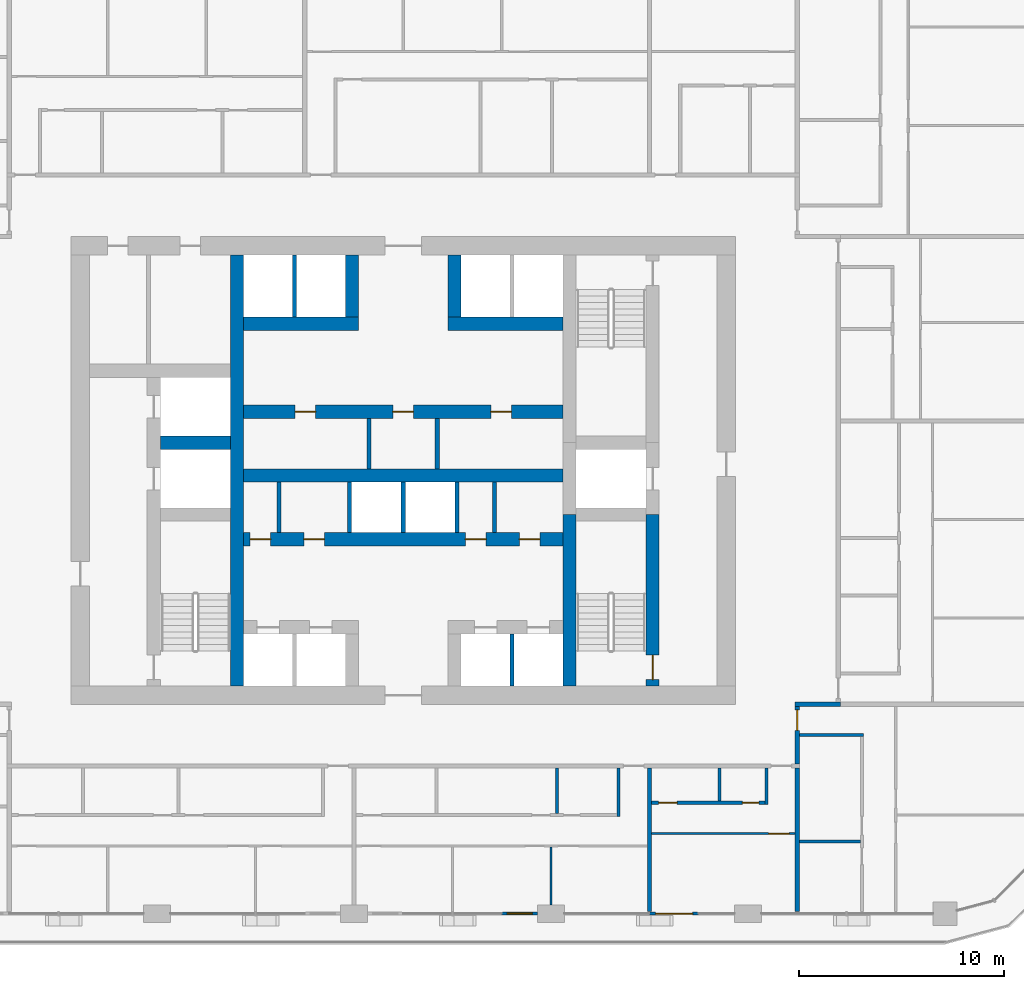
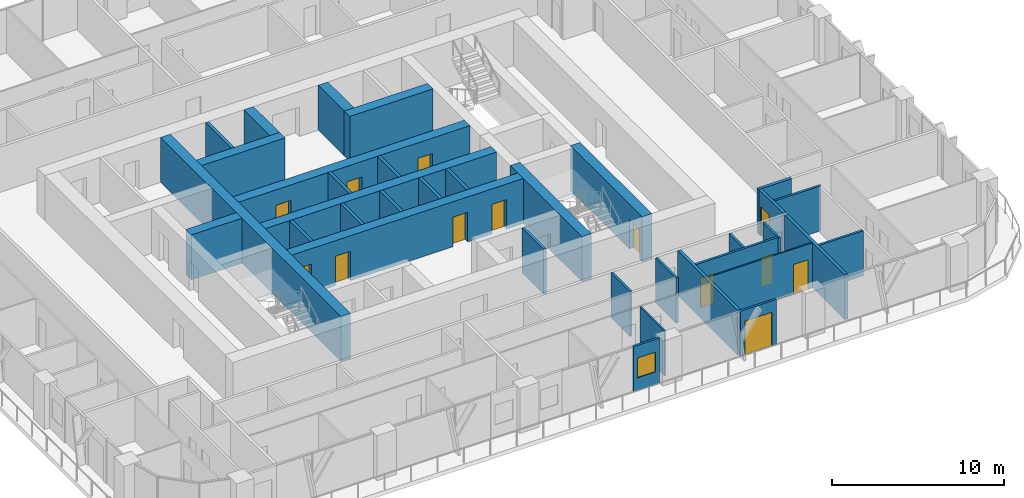
# One storey, part 11 of 21: 35 walls, 13 doors, 1 window, 14 openings.
"""IFC4 building model written with IfcOpenShell, lengths in metres."""

from ifc_helpers import new_model, si_unit, direction, frame, frame_2d, origin, place, context, subcontext, project, spatial, rectangle, extrude, material, layer, layer_set, type_object, element, fill, save


model = new_model("IFC4")

# Units and contexts
model_context = context("Model", 3, precision=1e-05, world=origin(), true_north=direction((0.0, 1.0)))
body_context = subcontext(model_context, "Body", "Model", "MODEL_VIEW")
ifc_project = project(units=[si_unit("LENGTHUNIT", "METRE"), si_unit("AREAUNIT", "SQUARE_METRE"), si_unit("VOLUMEUNIT", "CUBIC_METRE"), si_unit("PLANEANGLEUNIT", "RADIAN"), si_unit("MASSUNIT", "GRAM", prefix="KILO")], contexts=[model_context])

# Site, building, storey
site_placement = place(None, origin())
site = spatial("IfcSite", under=ifc_project, at=site_placement, CompositionType="ELEMENT")
building_placement = place(site_placement, origin())
building = spatial("IfcBuilding", under=site, at=building_placement, Name="Madar Terraces", CompositionType="ELEMENT")
storey_placement = place(building_placement, frame((0.0, 0.0, 89.199951171875)))
storey = spatial("IfcBuildingStorey", under=building, at=storey_placement, Name="L22", CompositionType="ELEMENT", Elevation=89.199951171875)

# Walls
ifc_material_1 = material(Name="Concrete C80/95", Category="concrete")
ifc_layer_1 = layer(ifc_material_1, 0.64990234375)
ifc_layer_set_1 = layer_set([ifc_layer_1], Name="Concrete C80/95 (CIW2 RC wall 650)")
wall_type_1 = type_object("IfcWallType", Name="CIW2 RC wall 650", PredefinedType="SHEAR", material=ifc_layer_set_1)
wall_1_placement = place(storey_placement, frame((23.10009765625, 15.89990234375, 0.0), z_axis=(0.0, 0.0, 1.0), x_axis=(0.0, 1.0, 0.0)))
element("IfcWall", 1, at=wall_1_placement, inside=storey, type_object=wall_type_1, Name="CORE SHAFT WALL", PredefinedType="SHEAR", context=body_context, shape_type="SweptSolid", body=[
    extrude(rectangle(XDim=21.0, YDim=0.64990234375, at=frame_2d((10.5, 0.0))), origin(), (0.0, 0.0, 1.0), 3.199951171875),
])
wall_2_placement = place(storey_placement, frame((39.300048828125, 15.89990234375, 0.0), z_axis=(0.0, 0.0, 1.0), x_axis=(0.0, 1.0, 0.0)))
element("IfcWall", 2, at=wall_2_placement, inside=storey, type_object=wall_type_1, Name="CORE SHAFT WALL", PredefinedType="SHEAR", context=body_context, shape_type="SweptSolid", body=[
    extrude(rectangle(XDim=8.35009765625, YDim=0.64990234375, at=frame_2d((4.175048828125, 0.0))), origin(), (0.0, 0.0, 1.0), 3.199951171875),
])

# Wall, opening, door
wall_3_placement = place(storey_placement, frame((43.35009765625, 15.89990234375, 0.0), z_axis=(0.0, 0.0, 1.0), x_axis=(0.0, 1.0, 0.0)))
wall_3 = element("IfcWall", 3, at=wall_3_placement, inside=storey, type_object=wall_type_1, Name="CORE SHAFT WALL", PredefinedType="SHEAR", context=body_context, shape_type="SweptSolid", body=[
    extrude(rectangle(XDim=8.35009765625, YDim=0.64990234375, at=frame_2d((4.175048828125, 0.0))), origin(), (0.0, 0.0, 1.0), 3.199951171875),
])
opening_1_placement = place(wall_3_placement, frame((0.300048828125, 0.0, 0.0)))
opening_1 = element("IfcOpeningElement", 4, at=opening_1_placement, cuts=wall_3, Name="Opening SD1", PredefinedType="OPENING", context=body_context, shape_type="SweptSolid", body=[
    extrude(rectangle(XDim=1.199951171875, YDim=2.10009765625, at=frame_2d((0.60009765625, 1.050048828125))), frame((0.0, 0.3349609375, 0.0), z_axis=(0.0, -1.0, 0.0), x_axis=(1.0, 0.0, 0.0)), (0.0, 0.0, 1.0), 0.669921875),
])
ifc_material_2 = material(Name="Steel door leaf", Category="steel")
door_type_1 = type_object("IfcDoorType", Name="Stair door 1200 x 2100", OperationType="NOTDEFINED", PredefinedType="DOOR", material=ifc_material_2)
door_1_placement = place(opening_1_placement, origin())
door_1 = element("IfcDoor", 5, at=door_1_placement, inside=storey, type_object=door_type_1, Name="STAIR DOOR", OperationType="SINGLE_SWING_LEFT", OverallHeight=2.10009765625, OverallWidth=1.199951171875, PredefinedType="DOOR", context=body_context, shape_type="SweptSolid", body=[
    extrude(rectangle(XDim=1.199951171875, YDim=2.10009765625, at=frame_2d((0.60009765625, 1.050048828125))), frame((0.0, 0.02490234375, 0.0), z_axis=(0.0, -1.0, 0.0), x_axis=(1.0, 0.0, 0.0)), (0.0, 0.0, 1.0), 0.050048828125),
])
fill(opening_1, door_1)

# Wall
wall_4_placement = place(storey_placement, frame((19.375, 27.75, 0.0), z_axis=(0.0, 0.0, 1.0), x_axis=(1.0, 0.0, 0.0)))
element("IfcWall", 6, at=wall_4_placement, inside=storey, type_object=wall_type_1, Name="CORE SHAFT WALL", PredefinedType="SHEAR", context=body_context, shape_type="SweptSolid", body=[
    extrude(rectangle(XDim=3.39990234375, YDim=0.64990234375, at=frame_2d((1.699951171875, 0.0))), origin(), (0.0, 0.0, 1.0), 3.199951171875),
])

# Wall, openings, doors
wall_5_placement = place(storey_placement, frame((23.425048828125, 23.050048828125, 0.0), z_axis=(0.0, 0.0, 1.0), x_axis=(1.0, 0.0, 0.0)))
wall_5 = element("IfcWall", 7, at=wall_5_placement, inside=storey, type_object=wall_type_1, Name="CORE SHAFT WALL", PredefinedType="SHEAR", context=body_context, shape_type="SweptSolid", body=[
    extrude(rectangle(XDim=15.550048828125, YDim=0.64990234375, at=frame_2d((7.77490234375, 0.0))), origin(), (0.0, 0.0, 1.0), 3.199951171875),
])
opening_2_placement = place(wall_5_placement, frame((0.30859375, 0.0, 0.0)))
opening_2 = element("IfcOpeningElement", 8, at=opening_2_placement, cuts=wall_5, Name="Opening KD2", PredefinedType="OPENING", context=body_context, shape_type="SweptSolid", body=[
    extrude(rectangle(XDim=1.0, YDim=2.10009765625, at=frame_2d((0.5, 1.050048828125))), frame((0.0, 0.3349609375, 0.0), z_axis=(0.0, -1.0, 0.0), x_axis=(1.0, 0.0, 0.0)), (0.0, 0.0, 1.0), 0.669921875),
])
opening_3_placement = place(wall_5_placement, frame((2.93359375, 0.0, 0.0)))
opening_3 = element("IfcOpeningElement", 9, at=opening_3_placement, cuts=wall_5, Name="Opening KD2", PredefinedType="OPENING", context=body_context, shape_type="SweptSolid", body=[
    extrude(rectangle(XDim=1.0, YDim=2.10009765625, at=frame_2d((0.5, 1.050048828125))), frame((0.0, 0.3349609375, 0.0), z_axis=(0.0, -1.0, 0.0), x_axis=(1.0, 0.0, 0.0)), (0.0, 0.0, 1.0), 0.669921875),
])
opening_4_placement = place(wall_5_placement, frame((10.80859375, 0.0, 0.0)))
opening_4 = element("IfcOpeningElement", 10, at=opening_4_placement, cuts=wall_5, Name="Opening KD2", PredefinedType="OPENING", context=body_context, shape_type="SweptSolid", body=[
    extrude(rectangle(XDim=1.0, YDim=2.10009765625, at=frame_2d((0.5, 1.050048828125))), frame((0.0, 0.3349609375, 0.0), z_axis=(0.0, -1.0, 0.0), x_axis=(1.0, 0.0, 0.0)), (0.0, 0.0, 1.0), 0.669921875),
])
opening_5_placement = place(wall_5_placement, frame((13.43359375, 0.0, 0.0)))
opening_5 = element("IfcOpeningElement", 11, at=opening_5_placement, cuts=wall_5, Name="Opening KD2", PredefinedType="OPENING", context=body_context, shape_type="SweptSolid", body=[
    extrude(rectangle(XDim=1.0, YDim=2.10009765625, at=frame_2d((0.5, 1.050048828125))), frame((0.0, 0.3349609375, 0.0), z_axis=(0.0, -1.0, 0.0), x_axis=(1.0, 0.0, 0.0)), (0.0, 0.0, 1.0), 0.669921875),
])
ifc_material_3 = material(Name="Steel door leaf", Category="steel")
door_type_2 = type_object("IfcDoorType", Name="Service room door 1000 x 2100", OperationType="NOTDEFINED", PredefinedType="DOOR", material=ifc_material_3)
door_2_placement = place(opening_2_placement, frame((1.0, 0.0, 0.0), z_axis=(0.0, 0.0, 1.0), x_axis=(-1.0, 0.0, 0.0)))
door_2 = element("IfcDoor", 12, at=door_2_placement, inside=storey, type_object=door_type_2, Name="SERVICE ROOM DOOR", OperationType="SINGLE_SWING_LEFT", OverallHeight=2.10009765625, OverallWidth=1.0, PredefinedType="DOOR", context=body_context, shape_type="SweptSolid", body=[
    extrude(rectangle(XDim=1.0, YDim=2.10009765625, at=frame_2d((0.5, 1.050048828125))), frame((0.0, 0.02490234375, 0.0), z_axis=(0.0, -1.0, 0.0), x_axis=(1.0, 0.0, 0.0)), (0.0, 0.0, 1.0), 0.050048828125),
])
fill(opening_2, door_2)
door_3_placement = place(opening_3_placement, frame((1.0, 0.0, 0.0), z_axis=(0.0, 0.0, 1.0), x_axis=(-1.0, 0.0, 0.0)))
door_3 = element("IfcDoor", 13, at=door_3_placement, inside=storey, type_object=door_type_2, Name="SERVICE ROOM DOOR", OperationType="SINGLE_SWING_RIGHT", OverallHeight=2.10009765625, OverallWidth=1.0, PredefinedType="DOOR", context=body_context, shape_type="SweptSolid", body=[
    extrude(rectangle(XDim=1.0, YDim=2.10009765625, at=frame_2d((0.5, 1.050048828125))), frame((0.0, 0.02490234375, 0.0), z_axis=(0.0, -1.0, 0.0), x_axis=(1.0, 0.0, 0.0)), (0.0, 0.0, 1.0), 0.050048828125),
])
fill(opening_3, door_3)
door_4_placement = place(opening_4_placement, frame((1.0, 0.0, 0.0), z_axis=(0.0, 0.0, 1.0), x_axis=(-1.0, 0.0, 0.0)))
door_4 = element("IfcDoor", 14, at=door_4_placement, inside=storey, type_object=door_type_2, Name="SERVICE ROOM DOOR", OperationType="SINGLE_SWING_LEFT", OverallHeight=2.10009765625, OverallWidth=1.0, PredefinedType="DOOR", context=body_context, shape_type="SweptSolid", body=[
    extrude(rectangle(XDim=1.0, YDim=2.10009765625, at=frame_2d((0.5, 1.050048828125))), frame((0.0, 0.02490234375, 0.0), z_axis=(0.0, -1.0, 0.0), x_axis=(1.0, 0.0, 0.0)), (0.0, 0.0, 1.0), 0.050048828125),
])
fill(opening_4, door_4)
door_5_placement = place(opening_5_placement, frame((1.0, 0.0, 0.0), z_axis=(0.0, 0.0, 1.0), x_axis=(-1.0, 0.0, 0.0)))
door_5 = element("IfcDoor", 15, at=door_5_placement, inside=storey, type_object=door_type_2, Name="SERVICE ROOM DOOR", OperationType="SINGLE_SWING_RIGHT", OverallHeight=2.10009765625, OverallWidth=1.0, PredefinedType="DOOR", context=body_context, shape_type="SweptSolid", body=[
    extrude(rectangle(XDim=1.0, YDim=2.10009765625, at=frame_2d((0.5, 1.050048828125))), frame((0.0, 0.02490234375, 0.0), z_axis=(0.0, -1.0, 0.0), x_axis=(1.0, 0.0, 0.0)), (0.0, 0.0, 1.0), 0.050048828125),
])
fill(opening_5, door_5)

# Wall
wall_6_placement = place(storey_placement, frame((23.425048828125, 26.14990234375, 0.0), z_axis=(0.0, 0.0, 1.0), x_axis=(1.0, 0.0, 0.0)))
element("IfcWall", 16, at=wall_6_placement, inside=storey, type_object=wall_type_1, Name="CORE SHAFT WALL", PredefinedType="SHEAR", context=body_context, shape_type="SweptSolid", body=[
    extrude(rectangle(XDim=15.550048828125, YDim=0.64990234375, at=frame_2d((7.77490234375, 0.0))), origin(), (0.0, 0.0, 1.0), 3.199951171875),
])

# Wall, openings, doors
wall_7_placement = place(storey_placement, frame((23.425048828125, 29.25, 0.0), z_axis=(0.0, 0.0, 1.0), x_axis=(1.0, 0.0, 0.0)))
wall_7 = element("IfcWall", 17, at=wall_7_placement, inside=storey, type_object=wall_type_1, Name="CORE SHAFT WALL", PredefinedType="SHEAR", context=body_context, shape_type="SweptSolid", body=[
    extrude(rectangle(XDim=15.550048828125, YDim=0.64990234375, at=frame_2d((7.77490234375, 0.0))), origin(), (0.0, 0.0, 1.0), 3.199951171875),
])
opening_6_placement = place(wall_7_placement, frame((2.508056640625, 0.0, 0.0)))
opening_6 = element("IfcOpeningElement", 18, at=opening_6_placement, cuts=wall_7, Name="Opening KD2", PredefinedType="OPENING", context=body_context, shape_type="SweptSolid", body=[
    extrude(rectangle(XDim=1.0, YDim=2.10009765625, at=frame_2d((0.5, 1.050048828125))), frame((0.0, 0.3349609375, 0.0), z_axis=(0.0, -1.0, 0.0), x_axis=(1.0, 0.0, 0.0)), (0.0, 0.0, 1.0), 0.669921875),
])
opening_7_placement = place(wall_7_placement, frame((7.27490234375, 0.0, 0.0)))
opening_7 = element("IfcOpeningElement", 19, at=opening_7_placement, cuts=wall_7, Name="Opening KD2", PredefinedType="OPENING", context=body_context, shape_type="SweptSolid", body=[
    extrude(rectangle(XDim=1.0, YDim=2.10009765625, at=frame_2d((0.5, 1.050048828125))), frame((0.0, 0.3349609375, 0.0), z_axis=(0.0, -1.0, 0.0), x_axis=(1.0, 0.0, 0.0)), (0.0, 0.0, 1.0), 0.669921875),
])
opening_8_placement = place(wall_7_placement, frame((12.041748046875, 0.0, 0.0)))
opening_8 = element("IfcOpeningElement", 20, at=opening_8_placement, cuts=wall_7, Name="Opening KD2", PredefinedType="OPENING", context=body_context, shape_type="SweptSolid", body=[
    extrude(rectangle(XDim=1.0, YDim=2.10009765625, at=frame_2d((0.5, 1.050048828125))), frame((0.0, 0.3349609375, 0.0), z_axis=(0.0, -1.0, 0.0), x_axis=(1.0, 0.0, 0.0)), (0.0, 0.0, 1.0), 0.669921875),
])
door_6_placement = place(opening_6_placement, origin())
door_6 = element("IfcDoor", 21, at=door_6_placement, inside=storey, type_object=door_type_2, Name="SERVICE ROOM DOOR", OperationType="SINGLE_SWING_LEFT", OverallHeight=2.10009765625, OverallWidth=1.0, PredefinedType="DOOR", context=body_context, shape_type="SweptSolid", body=[
    extrude(rectangle(XDim=1.0, YDim=2.10009765625, at=frame_2d((0.5, 1.050048828125))), frame((0.0, 0.02490234375, 0.0), z_axis=(0.0, -1.0, 0.0), x_axis=(1.0, 0.0, 0.0)), (0.0, 0.0, 1.0), 0.050048828125),
])
fill(opening_6, door_6)
door_7_placement = place(opening_7_placement, origin())
door_7 = element("IfcDoor", 22, at=door_7_placement, inside=storey, type_object=door_type_2, Name="SERVICE ROOM DOOR", OperationType="SINGLE_SWING_RIGHT", OverallHeight=2.10009765625, OverallWidth=1.0, PredefinedType="DOOR", context=body_context, shape_type="SweptSolid", body=[
    extrude(rectangle(XDim=1.0, YDim=2.10009765625, at=frame_2d((0.5, 1.050048828125))), frame((0.0, 0.02490234375, 0.0), z_axis=(0.0, -1.0, 0.0), x_axis=(1.0, 0.0, 0.0)), (0.0, 0.0, 1.0), 0.050048828125),
])
fill(opening_7, door_7)
door_8_placement = place(opening_8_placement, origin())
door_8 = element("IfcDoor", 23, at=door_8_placement, inside=storey, type_object=door_type_2, Name="SERVICE ROOM DOOR", OperationType="SINGLE_SWING_LEFT", OverallHeight=2.10009765625, OverallWidth=1.0, PredefinedType="DOOR", context=body_context, shape_type="SweptSolid", body=[
    extrude(rectangle(XDim=1.0, YDim=2.10009765625, at=frame_2d((0.5, 1.050048828125))), frame((0.0, 0.02490234375, 0.0), z_axis=(0.0, -1.0, 0.0), x_axis=(1.0, 0.0, 0.0)), (0.0, 0.0, 1.0), 0.050048828125),
])
fill(opening_8, door_8)

# Walls
wall_8_placement = place(storey_placement, frame((23.425048828125, 33.550048828125, 0.0), z_axis=(0.0, 0.0, 1.0), x_axis=(1.0, 0.0, 0.0)))
element("IfcWall", 24, at=wall_8_placement, inside=storey, type_object=wall_type_1, Name="CORE SHAFT WALL", PredefinedType="SHEAR", context=body_context, shape_type="SweptSolid", body=[
    extrude(rectangle(XDim=5.599853515625, YDim=0.64990234375, at=frame_2d((2.7998046875, 0.0))), origin(), (0.0, 0.0, 1.0), 3.199951171875),
])
wall_9_placement = place(storey_placement, frame((33.375, 33.550048828125, 0.0), z_axis=(0.0, 0.0, 1.0), x_axis=(1.0, 0.0, 0.0)))
element("IfcWall", 25, at=wall_9_placement, inside=storey, type_object=wall_type_1, Name="CORE SHAFT WALL", PredefinedType="SHEAR", context=body_context, shape_type="SweptSolid", body=[
    extrude(rectangle(XDim=5.60009765625, YDim=0.64990234375, at=frame_2d((2.800048828125, 0.0))), origin(), (0.0, 0.0, 1.0), 3.199951171875),
])
for number, where, z_axis, x_axis, name in (
    (26, (28.699951171875, 33.875, 0.0), (0.0, 0.0, 1.0), (0.0, 1.0, 0.0), "CORE SHAFT WALL"),
    (27, (33.699951171875, 33.875, 0.0), (0.0, 0.0, 1.0), (0.0, 1.0, 0.0), "CORE SHAFT WALL"),
):
    element("IfcWall", number, at=place(storey_placement, frame(where, z_axis=z_axis, x_axis=x_axis)), inside=storey, type_object=wall_type_1, Name=name, PredefinedType="SHEAR", context=body_context, shape_type="SweptSolid", body=[
        extrude(rectangle(XDim=3.02490234375, YDim=0.64990234375, at=frame_2d((1.512451171875, 0.0))), origin(), (0.0, 0.0, 1.0), 3.199951171875),
    ])
ifc_material_4 = material(Name="Masonry blockwork", Category="masonry")
ifc_layer_2 = layer(ifc_material_4, 0.199951171875)
ifc_layer_set_2 = layer_set([ifc_layer_2], Name="Core partition 200 blockwork")
wall_type_2 = type_object("IfcWallType", Name="Core partition 200 blockwork", PredefinedType="PARTITIONING", material=ifc_layer_set_2)
for number, where, z_axis, x_axis, name in (
    (28, (25.14208984375, 23.375, 0.0), (0.0, 0.0, 1.0), (0.0, 1.0, 0.0), "SERVICE ROOM PARTITION"),
    (29, (35.64208984375, 23.375, 0.0), (0.0, 0.0, 1.0), (0.0, 1.0, 0.0), "SERVICE ROOM PARTITION"),
    (30, (29.541259765625, 26.47509765625, 0.0), (0.0, 0.0, 1.0), (0.0, 1.0, 0.0), "SERVICE ROOM PARTITION"),
    (31, (32.858642578125, 26.47509765625, 0.0), (0.0, 0.0, 1.0), (0.0, 1.0, 0.0), "SERVICE ROOM PARTITION"),
):
    element("IfcWall", number, at=place(storey_placement, frame(where, z_axis=z_axis, x_axis=x_axis)), inside=storey, type_object=wall_type_2, Name=name, PredefinedType="PARTITIONING", context=body_context, shape_type="SweptSolid", body=[
        extrude(rectangle(XDim=2.449951171875, YDim=0.199951171875, at=frame_2d((1.22509765625, 0.0))), origin(), (0.0, 0.0, 1.0), 3.199951171875),
    ])
ifc_material_5 = material(Name="Concrete C40/50", Category="concrete")
ifc_layer_3 = layer(ifc_material_5, 0.199951171875)
ifc_layer_set_3 = layer_set([ifc_layer_3], Name="Core shaft dividing wall 200 C40/50")
wall_type_3 = type_object("IfcWallType", Name="Core shaft dividing wall 200 C40/50", PredefinedType="SOLIDWALL", material=ifc_layer_set_3)
for number, where, z_axis, x_axis, name in (
    (32, (28.574951171875, 23.375, 0.0), (0.0, 0.0, 1.0), (0.0, 1.0, 0.0), "SHAFT DIVIDING WALL"),
    (33, (31.199951171875, 23.375, 0.0), (0.0, 0.0, 1.0), (0.0, 1.0, 0.0), "SHAFT DIVIDING WALL"),
    (34, (33.824951171875, 23.375, 0.0), (0.0, 0.0, 1.0), (0.0, 1.0, 0.0), "SHAFT DIVIDING WALL"),
):
    element("IfcWall", number, at=place(storey_placement, frame(where, z_axis=z_axis, x_axis=x_axis)), inside=storey, type_object=wall_type_3, Name=name, PredefinedType="SOLIDWALL", context=body_context, shape_type="SweptSolid", body=[
        extrude(rectangle(XDim=2.449951171875, YDim=0.199951171875, at=frame_2d((1.22509765625, 0.0))), origin(), (0.0, 0.0, 1.0), 3.199951171875),
    ])
wall_10_placement = place(storey_placement, frame((25.89990234375, 33.875, 0.0), z_axis=(0.0, 0.0, 1.0), x_axis=(0.0, 1.0, 0.0)))
element("IfcWall", 35, at=wall_10_placement, inside=storey, type_object=wall_type_3, Name="SHAFT DIVIDING WALL", PredefinedType="SOLIDWALL", context=body_context, shape_type="SweptSolid", body=[
    extrude(rectangle(XDim=3.02490234375, YDim=0.199951171875, at=frame_2d((1.512451171875, 0.0))), origin(), (0.0, 0.0, 1.0), 3.199951171875),
])
wall_11_placement = place(storey_placement, frame((36.5, 15.89990234375, 0.0), z_axis=(0.0, 0.0, 1.0), x_axis=(0.0, 1.0, 0.0)))
element("IfcWall", 36, at=wall_11_placement, inside=storey, type_object=wall_type_3, Name="SHAFT DIVIDING WALL", PredefinedType="SOLIDWALL", context=body_context, shape_type="SweptSolid", body=[
    extrude(rectangle(XDim=2.525146484375, YDim=0.199951171875, at=frame_2d((1.2626953125, 0.0))), origin(), (0.0, 0.0, 1.0), 3.199951171875),
])

# Wall, opening, window
ifc_material_6 = material(Name="Aluminium composite panel, black, over insulated backing", Category="aluminium")
ifc_layer_4 = layer(ifc_material_6, 0.14990234375)
ifc_layer_set_4 = layer_set([ifc_layer_4], Name="Facade bay panel 150")
wall_type_4 = type_object("IfcWallType", Name="Facade bay panel 150", PredefinedType="SOLIDWALL", material=ifc_layer_set_4)
wall_12_placement = place(storey_placement, frame((36.0, 4.800048828125, 0.0), z_axis=(0.0, 0.0, 1.0), x_axis=(1.0, 0.0, 0.0)))
wall_12 = element("IfcWall", 37, at=wall_12_placement, inside=storey, type_object=wall_type_4, Name="Facade bay panel", PredefinedType="SOLIDWALL", context=body_context, shape_type="SweptSolid", body=[
    extrude(rectangle(XDim=1.75, YDim=0.14990234375, at=frame_2d((0.875, 0.0))), origin(), (0.0, 0.0, 1.0), 3.199951171875),
])
opening_9_placement = place(wall_12_placement, frame((0.27490234375, 0.0, 0.89990234375)))
opening_9 = element("IfcOpeningElement", 38, at=opening_9_placement, cuts=wall_12, Name="Opening W1", PredefinedType="OPENING", context=body_context, shape_type="SweptSolid", body=[
    extrude(rectangle(XDim=1.199951171875, YDim=1.39990234375, at=frame_2d((0.60009765625, 0.699951171875))), frame((0.0, 0.0849609375, 0.0), z_axis=(0.0, -1.0, 0.0), x_axis=(1.0, 0.0, 0.0)), (0.0, 0.0, 1.0), 0.169921875),
])
ifc_material_7 = material(Name="Glass, clear, with black aluminium frame", Category="aluminium")
window_type = type_object("IfcWindowType", Name="Vent window 1200 x 1400", PartitioningType="SINGLE_PANEL", PredefinedType="WINDOW", material=ifc_material_7)
window_placement = place(opening_9_placement, origin())
window = element("IfcWindow", 39, at=window_placement, inside=storey, type_object=window_type, Name="Operable vent window", OverallHeight=1.39990234375, OverallWidth=1.199951171875, PartitioningType="SINGLE_PANEL", PredefinedType="WINDOW", context=body_context, shape_type="SweptSolid", body=[
    extrude(rectangle(XDim=1.199951171875, YDim=1.39990234375, at=frame_2d((0.60009765625, 0.699951171875))), frame((0.0, 0.030029296875, 0.0), z_axis=(0.0, -1.0, 0.0), x_axis=(1.0, 0.0, 0.0)), (0.0, 0.0, 1.0), 0.06005859375),
])
fill(opening_9, window)

# Wall, opening, door
wall_13_placement = place(storey_placement, frame((43.199951171875, 4.800048828125, 0.0), z_axis=(0.0, 0.0, 1.0), x_axis=(1.0, 0.0, 0.0)))
wall_13 = element("IfcWall", 40, at=wall_13_placement, inside=storey, type_object=wall_type_4, Name="Facade bay panel", PredefinedType="SOLIDWALL", context=body_context, shape_type="SweptSolid", body=[
    extrude(rectangle(XDim=2.400146484375, YDim=0.14990234375, at=frame_2d((1.2001953125, 0.0))), origin(), (0.0, 0.0, 1.0), 3.199951171875),
])
opening_10_placement = place(wall_13_placement, frame((0.300048828125, 0.0, 0.0)))
opening_10 = element("IfcOpeningElement", 41, at=opening_10_placement, cuts=wall_13, Name="Opening ED1", PredefinedType="OPENING", context=body_context, shape_type="SweptSolid", body=[
    extrude(rectangle(XDim=1.800048828125, YDim=2.39990234375, at=frame_2d((0.89990234375, 1.199951171875))), frame((0.0, 0.0849609375, 0.0), z_axis=(0.0, -1.0, 0.0), x_axis=(1.0, 0.0, 0.0)), (0.0, 0.0, 1.0), 0.169921875),
])
ifc_material_8 = material(Name="Glass, clear, with black aluminium frame", Category="aluminium")
door_type_3 = type_object("IfcDoorType", Name="Balcony and terrace sliding door 1800 x 2400", OperationType="SLIDING_TO_LEFT", PredefinedType="DOOR", material=ifc_material_8)
door_9_placement = place(opening_10_placement, origin())
door_9 = element("IfcDoor", 42, at=door_9_placement, inside=storey, type_object=door_type_3, Name="Balcony door", OperationType="SLIDING_TO_LEFT", OverallHeight=2.39990234375, OverallWidth=1.800048828125, PredefinedType="DOOR", context=body_context, shape_type="SweptSolid", body=[
    extrude(rectangle(XDim=1.800048828125, YDim=2.39990234375, at=frame_2d((0.89990234375, 1.199951171875))), frame((0.0, 0.02490234375, 0.0), z_axis=(0.0, -1.0, 0.0), x_axis=(1.0, 0.0, 0.0)), (0.0, 0.0, 1.0), 0.050048828125),
])
fill(opening_10, door_9)

# Wall
ifc_material_9 = material(Name="Gypsum board on steel studs", Category="steel")
ifc_layer_5 = layer(ifc_material_9, 0.10009765625)
ifc_layer_set_5 = layer_set([ifc_layer_5], Name="Flat partition 100")
wall_type_5 = type_object("IfcWallType", Name="Flat partition 100", PredefinedType="PARTITIONING", material=ifc_layer_set_5)
wall_14_placement = place(storey_placement, frame((38.39990234375, 8.050048828125, 0.0), z_axis=(0.0, 0.0, 1.0), x_axis=(0.0, -1.0, 0.0)))
element("IfcWall", 43, at=wall_14_placement, inside=storey, type_object=wall_type_5, Name="Flat partition 100", PredefinedType="PARTITIONING", context=body_context, shape_type="SweptSolid", body=[
    extrude(rectangle(XDim=2.824951171875, YDim=0.10009765625, at=frame_2d((1.41259765625, 0.0))), origin(), (0.0, 0.0, 1.0), 3.199951171875),
])

# Wall, opening, door
wall_15_placement = place(storey_placement, frame((50.300048828125, 8.699951171875, 0.0), z_axis=(0.0, 0.0, 1.0), x_axis=(-1.0, 0.0, 0.0)))
wall_15 = element("IfcWall", 44, at=wall_15_placement, inside=storey, type_object=wall_type_5, Name="Flat partition 100", PredefinedType="PARTITIONING", context=body_context, shape_type="SweptSolid", body=[
    extrude(rectangle(XDim=7.0, YDim=0.10009765625, at=frame_2d((3.5, 0.0))), origin(), (0.0, 0.0, 1.0), 3.199951171875),
])
opening_11_placement = place(wall_15_placement, frame((0.300048828125, 0.0, 0.0)))
opening_11 = element("IfcOpeningElement", 45, at=opening_11_placement, cuts=wall_15, Name="Opening D3", PredefinedType="OPENING", context=body_context, shape_type="SweptSolid", body=[
    extrude(rectangle(XDim=1.0, YDim=2.10009765625, at=frame_2d((0.5, 1.050048828125))), frame((0.0, 0.06005859375, 0.0), z_axis=(0.0, -1.0, 0.0), x_axis=(1.0, 0.0, 0.0)), (0.0, 0.0, 1.0), 0.1201171875),
])
ifc_material_10 = material(Name="Timber door leaf", Category="wood")
door_type_4 = type_object("IfcDoorType", Name="Flat living room door 1000", OperationType="NOTDEFINED", PredefinedType="DOOR", material=ifc_material_10)
door_10_placement = place(opening_11_placement, origin())
door_10 = element("IfcDoor", 46, at=door_10_placement, inside=storey, type_object=door_type_4, Name="Flat living room door 1000", OperationType="SINGLE_SWING_LEFT", OverallHeight=2.10009765625, OverallWidth=1.0, PredefinedType="DOOR", context=body_context, shape_type="SweptSolid", body=[
    extrude(rectangle(XDim=1.0, YDim=2.10009765625, at=frame_2d((0.5, 1.050048828125))), frame((0.0, 0.02490234375, 0.0), z_axis=(0.0, -1.0, 0.0), x_axis=(1.0, 0.0, 0.0)), (0.0, 0.0, 1.0), 0.050048828125),
])
fill(opening_11, door_10)

ifc_material_11 = material(Name="Lightweight blockwork", Category="masonry")
ifc_layer_6 = layer(ifc_material_11, 0.199951171875)
ifc_layer_set_6 = layer_set([ifc_layer_6], Name="Flat party and entrance wall 200")
wall_type_6 = type_object("IfcWallType", Name="Flat party and entrance wall 200", PredefinedType="PARTITIONING", material=ifc_layer_set_6)
wall_16_placement = place(storey_placement, frame((50.39990234375, 14.89990234375, 0.0), z_axis=(0.0, 0.0, 1.0), x_axis=(0.0, -1.0, 0.0)))
wall_16 = element("IfcWall", 47, at=wall_16_placement, inside=storey, type_object=wall_type_6, Name="Flat party and entrance wall 200", PredefinedType="PARTITIONING", context=body_context, shape_type="SweptSolid", body=[
    extrude(rectangle(XDim=2.7998046875, YDim=0.199951171875, at=frame_2d((1.39990234375, 0.0))), origin(), (0.0, 0.0, 1.0), 3.199951171875),
])
opening_12_placement = place(wall_16_placement, frame((0.175048828125, 0.0, 0.0)))
opening_12 = element("IfcOpeningElement", 48, at=opening_12_placement, cuts=wall_16, Name="Opening D1", PredefinedType="OPENING", context=body_context, shape_type="SweptSolid", body=[
    extrude(rectangle(XDim=1.0, YDim=2.10009765625, at=frame_2d((0.5, 1.050048828125))), frame((0.0, 0.10986328125, 0.0), z_axis=(0.0, -1.0, 0.0), x_axis=(1.0, 0.0, 0.0)), (0.0, 0.0, 1.0), 0.219970703125),
])
ifc_material_12 = material(Name="Timber fire door leaf", Category="wood")
door_type_5 = type_object("IfcDoorType", Name="Flat entrance door 1000 FD30S", OperationType="NOTDEFINED", PredefinedType="DOOR", material=ifc_material_12)
door_11_placement = place(opening_12_placement, origin())
door_11 = element("IfcDoor", 49, at=door_11_placement, inside=storey, type_object=door_type_5, Name="Flat entrance door 1000 FD30S", OperationType="SINGLE_SWING_LEFT", OverallHeight=2.10009765625, OverallWidth=1.0, PredefinedType="DOOR", context=body_context, shape_type="SweptSolid", body=[
    extrude(rectangle(XDim=1.0, YDim=2.10009765625, at=frame_2d((0.5, 1.050048828125))), frame((0.0, 0.02490234375, 0.0), z_axis=(0.0, -1.0, 0.0), x_axis=(1.0, 0.0, 0.0)), (0.0, 0.0, 1.0), 0.050048828125),
])
fill(opening_12, door_11)

# Walls
wall_17_placement = place(storey_placement, frame((50.300048828125, 15.0, 0.0), z_axis=(0.0, 0.0, 1.0), x_axis=(1.0, 0.0, 0.0)))
element("IfcWall", 50, at=wall_17_placement, inside=storey, type_object=wall_type_6, Name="Flat party and entrance wall 200", PredefinedType="PARTITIONING", context=body_context, shape_type="SweptSolid", body=[
    extrude(rectangle(XDim=2.199951171875, YDim=0.199951171875, at=frame_2d((1.10009765625, 0.0))), origin(), (0.0, 0.0, 1.0), 3.199951171875),
])
for number, where, z_axis, x_axis, name in (
    (51, (43.199951171875, 11.89990234375, 0.0), (0.0, 0.0, 1.0), (0.0, -1.0, 0.0), "Flat party and entrance wall 200"),
    (52, (50.39990234375, 11.89990234375, 0.0), (0.0, 0.0, 1.0), (0.0, -1.0, 0.0), "Flat party and entrance wall 200"),
):
    element("IfcWall", number, at=place(storey_placement, frame(where, z_axis=z_axis, x_axis=x_axis)), inside=storey, type_object=wall_type_6, Name=name, PredefinedType="PARTITIONING", context=body_context, shape_type="SweptSolid", body=[
        extrude(rectangle(XDim=7.0, YDim=0.199951171875, at=frame_2d((3.5, 0.0))), origin(), (0.0, 0.0, 1.0), 3.199951171875),
    ])
ifc_material_13 = material(Name="Lightweight blockwork", Category="masonry")
ifc_layer_7 = layer(ifc_material_13, 0.14990234375)
ifc_layer_set_7 = layer_set([ifc_layer_7], Name="Flat wet-room partition 150")
wall_type_7 = type_object("IfcWallType", Name="Flat wet-room partition 150", PredefinedType="PARTITIONING", material=ifc_layer_set_7)
wall_18_placement = place(storey_placement, frame((38.6884765625, 11.89990234375, 0.0), z_axis=(0.0, 0.0, 1.0), x_axis=(0.0, -1.0, 0.0)))
element("IfcWall", 53, at=wall_18_placement, inside=storey, type_object=wall_type_7, Name="Flat wet-room partition 150", PredefinedType="PARTITIONING", context=body_context, shape_type="SweptSolid", body=[
    extrude(rectangle(XDim=2.224853515625, YDim=0.14990234375, at=frame_2d((1.1123046875, 0.0))), origin(), (0.0, 0.0, 1.0), 3.199951171875),
])
wall_19_placement = place(storey_placement, frame((41.699951171875, 11.89990234375, 0.0), z_axis=(0.0, 0.0, 1.0), x_axis=(0.0, -1.0, 0.0)))
element("IfcWall", 54, at=wall_19_placement, inside=storey, type_object=wall_type_7, Name="Flat wet-room partition 150", PredefinedType="PARTITIONING", context=body_context, shape_type="SweptSolid", body=[
    extrude(rectangle(XDim=2.375, YDim=0.14990234375, at=frame_2d((1.1875, 0.0))), origin(), (0.0, 0.0, 1.0), 3.199951171875),
])
wall_20_placement = place(storey_placement, frame((46.614990234375, 11.89990234375, 0.0), z_axis=(0.0, 0.0, 1.0), x_axis=(0.0, -1.0, 0.0)))
element("IfcWall", 55, at=wall_20_placement, inside=storey, type_object=wall_type_7, Name="Flat wet-room partition 150", PredefinedType="PARTITIONING", context=body_context, shape_type="SweptSolid", body=[
    extrude(rectangle(XDim=1.625, YDim=0.14990234375, at=frame_2d((0.8125, 0.0))), origin(), (0.0, 0.0, 1.0), 3.199951171875),
])
wall_21_placement = place(storey_placement, frame((48.89990234375, 11.89990234375, 0.0), z_axis=(0.0, 0.0, 1.0), x_axis=(0.0, -1.0, 0.0)))
element("IfcWall", 56, at=wall_21_placement, inside=storey, type_object=wall_type_7, Name="Flat wet-room partition 150", PredefinedType="PARTITIONING", context=body_context, shape_type="SweptSolid", body=[
    extrude(rectangle(XDim=1.77490234375, YDim=0.14990234375, at=frame_2d((0.887451171875, 0.0))), origin(), (0.0, 0.0, 1.0), 3.199951171875),
])

# Wall, openings, doors
wall_22_placement = place(storey_placement, frame((43.300048828125, 10.199951171875, 0.0), z_axis=(0.0, 0.0, 1.0), x_axis=(1.0, 0.0, 0.0)))
wall_22 = element("IfcWall", 57, at=wall_22_placement, inside=storey, type_object=wall_type_7, Name="Flat wet-room partition 150", PredefinedType="PARTITIONING", context=body_context, shape_type="SweptSolid", body=[
    extrude(rectangle(XDim=5.52490234375, YDim=0.14990234375, at=frame_2d((2.762451171875, 0.0))), origin(), (0.0, 0.0, 1.0), 3.199951171875),
])
opening_13_placement = place(wall_22_placement, frame((4.425048828125, 0.0, 0.0)))
opening_13 = element("IfcOpeningElement", 58, at=opening_13_placement, cuts=wall_22, Name="Opening D4", PredefinedType="OPENING", context=body_context, shape_type="SweptSolid", body=[
    extrude(rectangle(XDim=0.800048828125, YDim=2.10009765625, at=frame_2d((0.39990234375, 1.050048828125))), frame((0.0, 0.0849609375, 0.0), z_axis=(0.0, -1.0, 0.0), x_axis=(1.0, 0.0, 0.0)), (0.0, 0.0, 1.0), 0.169921875),
])
opening_14_placement = place(wall_22_placement, frame((0.35009765625, 0.0, 0.0)))
opening_14 = element("IfcOpeningElement", 59, at=opening_14_placement, cuts=wall_22, Name="Opening D2", PredefinedType="OPENING", context=body_context, shape_type="SweptSolid", body=[
    extrude(rectangle(XDim=0.89990234375, YDim=2.10009765625, at=frame_2d((0.449951171875, 1.050048828125))), frame((0.0, 0.0849609375, 0.0), z_axis=(0.0, -1.0, 0.0), x_axis=(1.0, 0.0, 0.0)), (0.0, 0.0, 1.0), 0.169921875),
])
ifc_material_14 = material(Name="Timber door leaf", Category="wood")
door_type_6 = type_object("IfcDoorType", Name="Flat bathroom door 800", OperationType="NOTDEFINED", PredefinedType="DOOR", material=ifc_material_14)
door_12_placement = place(opening_13_placement, origin())
door_12 = element("IfcDoor", 60, at=door_12_placement, inside=storey, type_object=door_type_6, Name="Flat bathroom door 800", OperationType="SINGLE_SWING_RIGHT", OverallHeight=2.10009765625, OverallWidth=0.800048828125, PredefinedType="DOOR", context=body_context, shape_type="SweptSolid", body=[
    extrude(rectangle(XDim=0.800048828125, YDim=2.10009765625, at=frame_2d((0.39990234375, 1.050048828125))), frame((0.0, 0.02490234375, 0.0), z_axis=(0.0, -1.0, 0.0), x_axis=(1.0, 0.0, 0.0)), (0.0, 0.0, 1.0), 0.050048828125),
])
fill(opening_13, door_12)
ifc_material_15 = material(Name="Timber door leaf", Category="wood")
door_type_7 = type_object("IfcDoorType", Name="Flat room door 900", OperationType="NOTDEFINED", PredefinedType="DOOR", material=ifc_material_15)
door_13_placement = place(opening_14_placement, origin())
door_13 = element("IfcDoor", 61, at=door_13_placement, inside=storey, type_object=door_type_7, Name="Flat room door 900", OperationType="SINGLE_SWING_LEFT", OverallHeight=2.10009765625, OverallWidth=0.89990234375, PredefinedType="DOOR", context=body_context, shape_type="SweptSolid", body=[
    extrude(rectangle(XDim=0.89990234375, YDim=2.10009765625, at=frame_2d((0.449951171875, 1.050048828125))), frame((0.0, 0.02490234375, 0.0), z_axis=(0.0, -1.0, 0.0), x_axis=(1.0, 0.0, 0.0)), (0.0, 0.0, 1.0), 0.050048828125),
])
fill(opening_14, door_13)

# Walls
wall_23_placement = place(storey_placement, frame((50.5, 8.31005859375, 0.0), z_axis=(0.0, 0.0, 1.0), x_axis=(1.0, 0.0, 0.0)))
element("IfcWall", 62, at=wall_23_placement, inside=storey, type_object=wall_type_7, Name="Flat wet-room partition 150", PredefinedType="PARTITIONING", context=body_context, shape_type="SweptSolid", body=[
    extrude(rectangle(XDim=2.97509765625, YDim=0.14990234375, at=frame_2d((1.487548828125, 0.0))), origin(), (0.0, 0.0, 1.0), 3.199951171875),
])
wall_24_placement = place(storey_placement, frame((50.5, 13.5, 0.0), z_axis=(0.0, 0.0, 1.0), x_axis=(1.0, 0.0, 0.0)))
element("IfcWall", 63, at=wall_24_placement, inside=storey, type_object=wall_type_7, Name="Flat wet-room partition 150", PredefinedType="PARTITIONING", context=body_context, shape_type="SweptSolid", body=[
    extrude(rectangle(XDim=3.125, YDim=0.14990234375, at=frame_2d((1.5625, 0.0))), origin(), (0.0, 0.0, 1.0), 3.199951171875),
])

save(model, "model.ifc")
